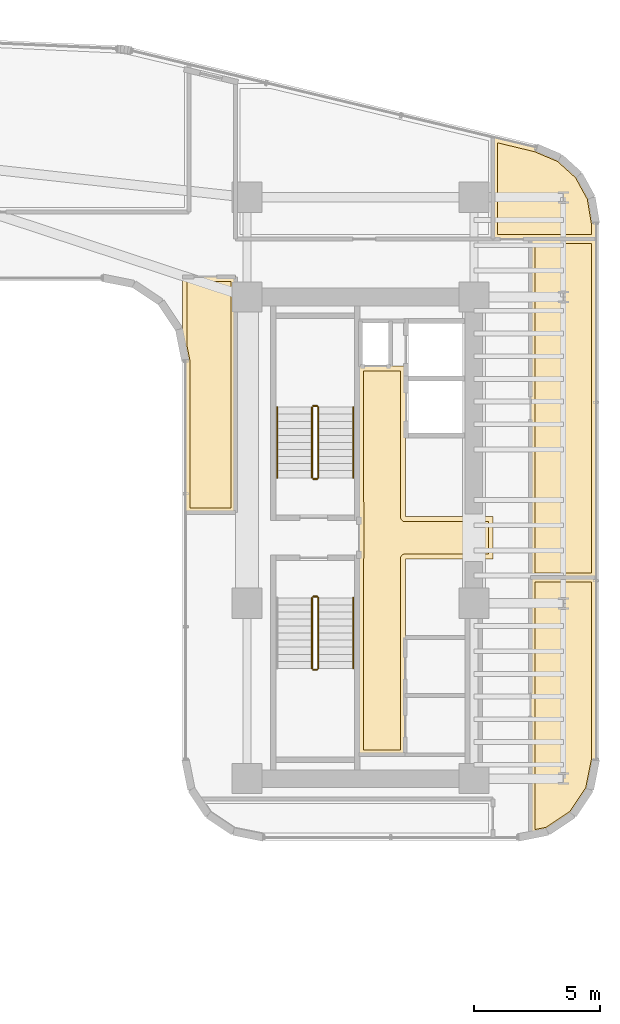
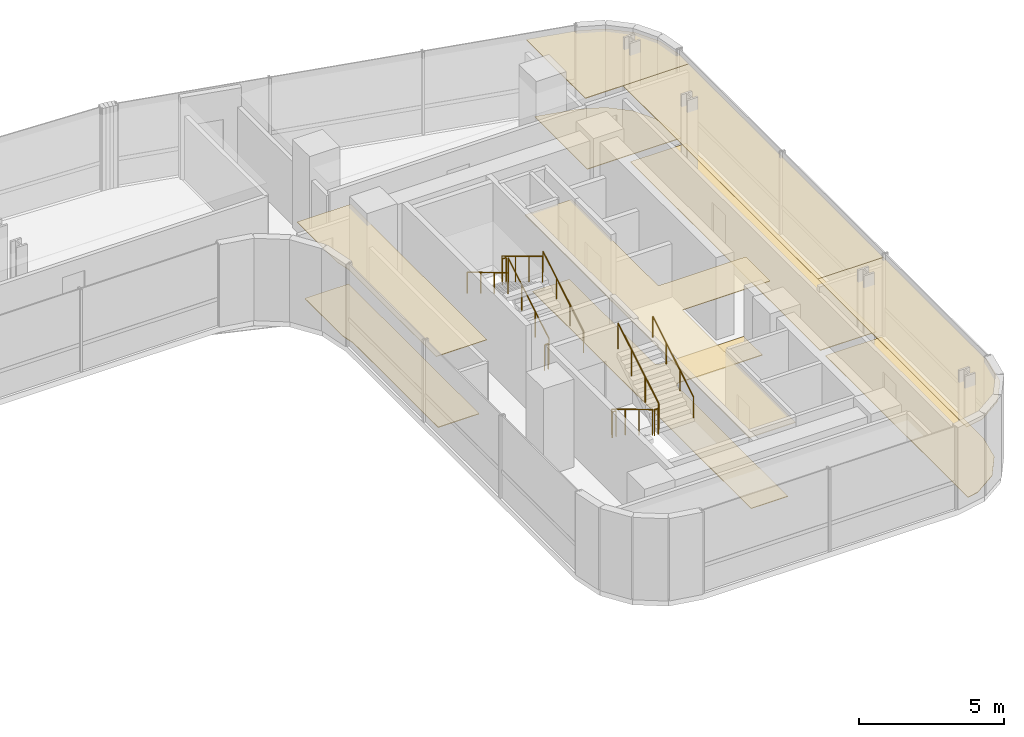
# One storey, part 33 of 34: 11 railings, 10 coverings.
"""IFC4 building model written with IfcOpenShell, lengths in metres."""

from ifc_helpers import new_model, si_unit, direction, frame, origin, origin_2d, place, context, subcontext, project, spatial, polyline, circle, outline, extrude, material, layer, layer_set, type_object, element, save


model = new_model("IFC4")

# Units and contexts
model_context = context("Model", 3, precision=1e-05, world=origin(), true_north=direction((0.0, 1.0)))
body_context = subcontext(model_context, "Body", "Model", "MODEL_VIEW")
ifc_project = project(units=[si_unit("LENGTHUNIT", "METRE"), si_unit("AREAUNIT", "SQUARE_METRE"), si_unit("VOLUMEUNIT", "CUBIC_METRE"), si_unit("PLANEANGLEUNIT", "RADIAN"), si_unit("MASSUNIT", "GRAM", prefix="KILO")], contexts=[model_context])

# Site, building, storey
site_placement = place(None, origin())
site = spatial("IfcSite", under=ifc_project, at=site_placement, CompositionType="ELEMENT")
building_placement = place(site_placement, origin())
building = spatial("IfcBuilding", under=site, at=building_placement, Name="Valdorenza Pilgrim Sanctuary Tower", CompositionType="ELEMENT")
storey_placement = place(building_placement, frame((0.0, 0.0, 146.39990234375)))
storey = spatial("IfcBuildingStorey", under=building, at=storey_placement, Name="L37", CompositionType="ELEMENT", Elevation=146.39990234375)

# Coverings
ifc_material_1 = material(Name="Micro-perforated acoustic mineral ceiling tile", Category="gypsum")
ifc_layer_1 = layer(ifc_material_1, 0.02490234375, Name="Micro-perforated acoustic mineral ceiling tile")
ifc_layer_set_1 = layer_set([ifc_layer_1], Name="Micro-perforated acoustic mineral ceiling tile")
covering_type_1 = type_object("IfcCoveringType", Name="COV-CLG-ACU", PredefinedType="CEILING", material=ifc_layer_set_1)
covering_1_placement = place(storey_placement, frame((0.0, 0.0, 3.16015625)))
element("IfcCovering", 1, at=covering_1_placement, inside=storey, type_object=covering_type_1, Name="L37 Core B Passenger Lift Lobby Acoustic Ceiling", PredefinedType="CEILING", context=body_context, shape_type="SweptSolid", body=[
    extrude(outline(polyline([(20.287109375, -0.814697265625), (20.287109375, 0.814697265625), (20.28662109375, 0.815185546875), (20.2861328125, 0.81640625), (20.28564453125, 0.81787109375), (20.285400390625, 0.819091796875), (20.28515625, 0.820556640625), (20.284912109375, 0.822021484375), (20.284912109375, 6.800048828125), (20.28515625, 6.801513671875), (20.285400390625, 6.802978515625), (20.28564453125, 6.804443359375), (20.2861328125, 6.8056640625), (20.286865234375, 6.80712890625), (20.28759765625, 6.808349609375), (20.288330078125, 6.8095703125), (20.289306640625, 6.810546875), (20.29052734375, 6.8115234375), (20.291748046875, 6.8125), (20.29296875, 6.813232421875), (20.294189453125, 6.81396484375), (20.295654296875, 6.814453125), (20.297119140625, 6.814697265625), (20.298583984375, 6.81494140625), (20.300048828125, 6.81494140625), (20.347900390625, 6.81494140625), (20.349365234375, 6.81494140625), (20.350830078125, 6.814697265625), (20.352294921875, 6.814453125), (20.353515625, 6.81396484375), (20.35498046875, 6.813232421875), (20.35546875, 6.81298828125), (21.544677734375, 6.81298828125), (21.545166015625, 6.813232421875), (21.54638671875, 6.81396484375), (21.5478515625, 6.814453125), (21.54931640625, 6.814697265625), (21.550537109375, 6.81494140625), (21.552001953125, 6.81494140625), (22.1201171875, 6.81494140625), (22.12158203125, 6.81494140625), (22.122802734375, 6.814697265625), (22.12451171875, 6.814453125), (22.125732421875, 6.81396484375), (22.127197265625, 6.813232421875), (22.12841796875, 6.8125), (22.12939453125, 6.8115234375), (22.130615234375, 6.810546875), (22.131591796875, 6.8095703125), (22.132568359375, 6.808349609375), (22.13330078125, 6.80712890625), (22.1337890625, 6.8056640625), (22.134521484375, 6.804443359375), (22.134765625, 6.802978515625), (22.135009765625, 6.801513671875), (22.135009765625, 6.800048828125), (22.135009765625, 0.8349609375), (25.60009765625, 0.8349609375), (25.6015625, 0.8349609375), (25.602783203125, 0.834716796875), (25.6044921875, 0.83447265625), (25.605712890625, 0.833984375), (25.607177734375, 0.833251953125), (25.6083984375, 0.83251953125), (25.609619140625, 0.83154296875), (25.610595703125, 0.83056640625), (25.611572265625, 0.82958984375), (25.612548828125, 0.828369140625), (25.61328125, 0.8271484375), (25.614013671875, 0.82568359375), (25.614501953125, 0.824462890625), (25.61474609375, 0.822998046875), (25.614990234375, 0.821533203125), (25.614990234375, 0.820068359375), (25.614990234375, -0.820068359375), (25.614990234375, -0.821533203125), (25.61474609375, -0.822998046875), (25.614501953125, -0.824462890625), (25.614013671875, -0.82568359375), (25.61328125, -0.8271484375), (25.612548828125, -0.828369140625), (25.611572265625, -0.82958984375), (25.610595703125, -0.83056640625), (25.609619140625, -0.83154296875), (25.6083984375, -0.83251953125), (25.607177734375, -0.833251953125), (25.605712890625, -0.833984375), (25.6044921875, -0.83447265625), (25.602783203125, -0.834716796875), (25.6015625, -0.8349609375), (25.60009765625, -0.8349609375), (22.135009765625, -0.8349609375), (22.135009765625, -8.60009765625), (22.135009765625, -8.6015625), (22.134765625, -8.602783203125), (22.134521484375, -8.6044921875), (22.1337890625, -8.605712890625), (22.13330078125, -8.607177734375), (22.132568359375, -8.6083984375), (22.131591796875, -8.609619140625), (22.130615234375, -8.610595703125), (22.12939453125, -8.611572265625), (22.12841796875, -8.612548828125), (22.127197265625, -8.61328125), (22.125732421875, -8.614013671875), (22.12451171875, -8.614501953125), (22.122802734375, -8.61474609375), (22.12158203125, -8.614990234375), (22.1201171875, -8.614990234375), (20.300048828125, -8.614990234375), (20.298583984375, -8.614990234375), (20.297119140625, -8.61474609375), (20.295654296875, -8.614501953125), (20.294189453125, -8.614013671875), (20.29296875, -8.61328125), (20.291748046875, -8.612548828125), (20.29052734375, -8.611572265625), (20.289306640625, -8.610595703125), (20.288330078125, -8.609619140625), (20.28759765625, -8.6083984375), (20.286865234375, -8.607177734375), (20.2861328125, -8.605712890625), (20.28564453125, -8.6044921875), (20.285400390625, -8.602783203125), (20.28515625, -8.6015625), (20.284912109375, -8.60009765625), (20.284912109375, -0.822021484375), (20.28515625, -0.820556640625), (20.285400390625, -0.819091796875), (20.28564453125, -0.81787109375), (20.2861328125, -0.81640625), (20.28662109375, -0.815185546875), (20.287109375, -0.814697265625)])), origin(), (0.0, 0.0, 1.0), 0.02490234375),
])
covering_2_placement = place(storey_placement, frame((0.0, 0.0, 3.16015625)))
element("IfcCovering", 2, at=covering_2_placement, inside=storey, type_object=covering_type_1, Name="L37 East Wing Reference Library L37-BNE Acoustic Ceiling", PredefinedType="CEILING", context=body_context, shape_type="SweptSolid", body=[
    extrude(outline(polyline([(27.313720703125, 15.49755859375), (27.31494140625, 15.4970703125), (27.316162109375, 15.49658203125), (28.269775390625, 15.09130859375), (28.271240234375, 15.090576171875), (28.272705078125, 15.089599609375), (28.27392578125, 15.088623046875), (29.034912109375, 14.3994140625), (29.035888671875, 14.398193359375), (29.037109375, 14.39697265625), (29.037841796875, 14.3955078125), (29.531005859375, 13.4951171875), (29.53173828125, 13.49365234375), (29.5322265625, 13.4921875), (29.53271484375, 13.490478515625), (29.704833984375, 12.468994140625), (29.704833984375, 12.467529296875), (29.705078125, 12.46630859375), (29.705078125, 11.85009765625), (29.704833984375, 11.848388671875), (29.70458984375, 11.84716796875), (29.704345703125, 11.845703125), (29.703857421875, 11.84423828125), (29.703125, 11.843017578125), (29.702392578125, 11.841796875), (29.70166015625, 11.840576171875), (29.70068359375, 11.83935546875), (29.699462890625, 11.83837890625), (29.6982421875, 11.83740234375), (29.697021484375, 11.8369140625), (29.69580078125, 11.836181640625), (29.6943359375, 11.835693359375), (29.69287109375, 11.835205078125), (29.69140625, 11.835205078125), (29.68994140625, 11.8349609375), (25.60205078125, 11.8349609375), (25.6005859375, 11.835205078125), (25.59912109375, 11.835205078125), (25.59765625, 11.835693359375), (25.59619140625, 11.836181640625), (25.594970703125, 11.8369140625), (25.59375, 11.83740234375), (25.592529296875, 11.83837890625), (25.59130859375, 11.83935546875), (25.59033203125, 11.840576171875), (25.589599609375, 11.841796875), (25.5888671875, 11.843017578125), (25.588134765625, 11.84423828125), (25.587646484375, 11.845703125), (25.58740234375, 11.84716796875), (25.587158203125, 11.848388671875), (25.5869140625, 11.85009765625), (25.5869140625, 15.891845703125), (25.587158203125, 15.893310546875), (25.58740234375, 15.894775390625), (25.587646484375, 15.896240234375), (25.588134765625, 15.897705078125), (25.5888671875, 15.89892578125), (25.589599609375, 15.900390625), (25.590576171875, 15.901611328125), (25.591552734375, 15.902587890625), (25.5927734375, 15.903564453125), (25.593994140625, 15.904296875), (25.59521484375, 15.9052734375), (25.5966796875, 15.90576171875), (25.597900390625, 15.90625), (25.599609375, 15.906494140625), (25.60107421875, 15.90673828125), (25.6025390625, 15.90673828125), (25.60400390625, 15.906494140625), (25.60546875, 15.906494140625), (27.313720703125, 15.49755859375)])), origin(), (0.0, 0.0, 1.0), 0.02490234375),
])
covering_3_placement = place(storey_placement, frame((0.0, 0.0, 3.16015625)))
element("IfcCovering", 3, at=covering_3_placement, inside=storey, type_object=covering_type_1, Name="L37 Private Banquet Dining Room L37-EB1 Acoustic Ceiling", PredefinedType="CEILING", context=body_context, shape_type="SweptSolid", body=[
    extrude(outline(polyline([(29.68994140625, -1.56005859375), (29.69140625, -1.56005859375), (29.69287109375, -1.560302734375), (29.6943359375, -1.560546875), (29.69580078125, -1.56103515625), (29.697021484375, -1.561767578125), (29.6982421875, -1.5625), (29.699462890625, -1.5634765625), (29.70068359375, -1.564453125), (29.70166015625, -1.5654296875), (29.702392578125, -1.566650390625), (29.703125, -1.56787109375), (29.703857421875, -1.5693359375), (29.704345703125, -1.570556640625), (29.70458984375, -1.572021484375), (29.704833984375, -1.573486328125), (29.705078125, -1.574951171875), (29.705078125, -8.789306640625), (29.704833984375, -8.79052734375), (29.70458984375, -8.7919921875), (29.467529296875, -9.984619140625), (29.467041015625, -9.986083984375), (29.466552734375, -9.9873046875), (29.466064453125, -9.98876953125), (29.46533203125, -9.989990234375), (28.7958984375, -10.99169921875), (28.794921875, -10.992919921875), (28.7939453125, -10.993896484375), (28.79296875, -10.9951171875), (28.791748046875, -10.995849609375), (27.7900390625, -11.665283203125), (27.788818359375, -11.666015625), (27.787353515625, -11.66650390625), (27.785888671875, -11.6669921875), (27.78466796875, -11.66748046875), (27.102783203125, -11.802978515625), (27.1015625, -11.80322265625), (27.10009765625, -11.803466796875), (27.098388671875, -11.80322265625), (27.09716796875, -11.802978515625), (27.095703125, -11.802734375), (27.09423828125, -11.80224609375), (27.093017578125, -11.801513671875), (27.091796875, -11.80078125), (27.090576171875, -11.800048828125), (27.08935546875, -11.799072265625), (27.08837890625, -11.7978515625), (27.08740234375, -11.796630859375), (27.0869140625, -11.79541015625), (27.086181640625, -11.794189453125), (27.085693359375, -11.792724609375), (27.085205078125, -11.791259765625), (27.085205078125, -11.789794921875), (27.0849609375, -11.788330078125), (27.0849609375, -1.574951171875), (27.085205078125, -1.573486328125), (27.085205078125, -1.572021484375), (27.085693359375, -1.570556640625), (27.086181640625, -1.5693359375), (27.0869140625, -1.56787109375), (27.08740234375, -1.566650390625), (27.08837890625, -1.5654296875), (27.08935546875, -1.564453125), (27.090576171875, -1.5634765625), (27.091796875, -1.5625), (27.093017578125, -1.561767578125), (27.09423828125, -1.56103515625), (27.095703125, -1.560546875), (27.09716796875, -1.560302734375), (27.098388671875, -1.56005859375), (27.10009765625, -1.56005859375), (29.68994140625, -1.56005859375)])), origin(), (0.0, 0.0, 1.0), 0.02490234375),
])
covering_4_placement = place(storey_placement, frame((0.0, 0.0, 3.16015625)))
element("IfcCovering", 4, at=covering_4_placement, inside=storey, type_object=covering_type_1, Name="L37 Private Banquet Dining Room L37-EB2 Acoustic Ceiling", PredefinedType="CEILING", context=body_context, shape_type="SweptSolid", body=[
    extrude(outline(polyline([(27.0849609375, 11.847900390625), (27.085205078125, 11.849609375), (27.085205078125, 11.850830078125), (27.085693359375, 11.852294921875), (27.086181640625, 11.853759765625), (27.0869140625, 11.85498046875), (27.08740234375, 11.856201171875), (27.08837890625, 11.857421875), (27.08935546875, 11.858642578125), (27.090576171875, 11.859619140625), (27.091796875, 11.860595703125), (27.093017578125, 11.861083984375), (27.09423828125, 11.86181640625), (27.095703125, 11.8623046875), (27.09716796875, 11.86279296875), (27.098388671875, 11.86279296875), (27.10009765625, 11.863037109375), (29.68994140625, 11.863037109375), (29.69140625, 11.86279296875), (29.69287109375, 11.86279296875), (29.6943359375, 11.8623046875), (29.69580078125, 11.86181640625), (29.697021484375, 11.861083984375), (29.6982421875, 11.860595703125), (29.699462890625, 11.859619140625), (29.70068359375, 11.858642578125), (29.70166015625, 11.857421875), (29.702392578125, 11.856201171875), (29.703125, 11.85498046875), (29.703857421875, 11.853759765625), (29.704345703125, 11.852294921875), (29.70458984375, 11.850830078125), (29.704833984375, 11.849609375), (29.705078125, 11.847900390625), (29.705078125, -1.572998046875), (29.704833984375, -1.574462890625), (29.70458984375, -1.575927734375), (29.704345703125, -1.577392578125), (29.703857421875, -1.57861328125), (29.703125, -1.580078125), (29.702392578125, -1.581298828125), (29.70166015625, -1.58251953125), (29.70068359375, -1.58349609375), (29.699462890625, -1.584716796875), (29.6982421875, -1.58544921875), (29.697021484375, -1.586181640625), (29.69580078125, -1.5869140625), (29.6943359375, -1.58740234375), (29.69287109375, -1.587646484375), (29.69140625, -1.587890625), (29.68994140625, -1.587890625), (27.10009765625, -1.587890625), (27.098388671875, -1.587890625), (27.09716796875, -1.587646484375), (27.095703125, -1.58740234375), (27.09423828125, -1.5869140625), (27.093017578125, -1.586181640625), (27.091796875, -1.58544921875), (27.090576171875, -1.584716796875), (27.08935546875, -1.58349609375), (27.08837890625, -1.58251953125), (27.08740234375, -1.581298828125), (27.0869140625, -1.580078125), (27.086181640625, -1.57861328125), (27.085693359375, -1.577392578125), (27.085205078125, -1.575927734375), (27.085205078125, -1.574462890625), (27.0849609375, -1.572998046875), (27.0849609375, 11.847900390625)])), origin(), (0.0, 0.0, 1.0), 0.02490234375),
])
covering_5_placement = place(storey_placement, frame((0.0, 0.0, 3.16015625)))
element("IfcCovering", 5, at=covering_5_placement, inside=storey, type_object=covering_type_1, Name="L37 Courtyard Overlook Salon L37 Acoustic Ceiling", PredefinedType="CEILING", context=body_context, shape_type="SweptSolid", body=[
    extrude(outline(polyline([(15.39990234375, 10.364990234375), (15.401611328125, 10.364990234375), (15.40283203125, 10.36474609375), (15.404296875, 10.364501953125), (15.40576171875, 10.364013671875), (15.406982421875, 10.36328125), (15.408203125, 10.362548828125), (15.409423828125, 10.361572265625), (15.41064453125, 10.360595703125), (15.41162109375, 10.359619140625), (15.41259765625, 10.3583984375), (15.4130859375, 10.357177734375), (15.413818359375, 10.355712890625), (15.414306640625, 10.3544921875), (15.414794921875, 10.352783203125), (15.414794921875, 10.3515625), (15.4150390625, 10.35009765625), (15.4150390625, 1.0), (15.414794921875, 0.99853515625), (15.414794921875, 0.9970703125), (15.414306640625, 0.99560546875), (15.413818359375, 0.994384765625), (15.4130859375, 0.992919921875), (15.41259765625, 0.99169921875), (15.41162109375, 0.990478515625), (15.41064453125, 0.989501953125), (15.409423828125, 0.98828125), (15.408203125, 0.987548828125), (15.406982421875, 0.98681640625), (15.40576171875, 0.986083984375), (15.404296875, 0.985595703125), (15.40283203125, 0.9853515625), (15.401611328125, 0.985107421875), (15.39990234375, 0.985107421875), (13.409912109375, 0.985107421875), (13.408447265625, 0.985107421875), (13.406982421875, 0.9853515625), (13.405517578125, 0.985595703125), (13.404296875, 0.986083984375), (13.40283203125, 0.98681640625), (13.401611328125, 0.987548828125), (13.400390625, 0.98828125), (13.3994140625, 0.989501953125), (13.3984375, 0.990478515625), (13.3974609375, 0.99169921875), (13.396728515625, 0.992919921875), (13.39599609375, 0.994384765625), (13.3955078125, 0.99560546875), (13.395263671875, 0.9970703125), (13.39501953125, 0.99853515625), (13.39501953125, 1.0), (13.39501953125, 6.99951171875), (13.39453125, 7.00927734375), (13.39306640625, 7.018798828125), (13.285400390625, 7.560791015625), (13.28515625, 7.562255859375), (13.284912109375, 7.563720703125), (13.284912109375, 10.35009765625), (13.28515625, 10.3515625), (13.285400390625, 10.352783203125), (13.28564453125, 10.3544921875), (13.2861328125, 10.355712890625), (13.286865234375, 10.357177734375), (13.28759765625, 10.3583984375), (13.288330078125, 10.359619140625), (13.289306640625, 10.360595703125), (13.29052734375, 10.361572265625), (13.291748046875, 10.362548828125), (13.29296875, 10.36328125), (13.294189453125, 10.364013671875), (13.295654296875, 10.364501953125), (13.297119140625, 10.36474609375), (13.298583984375, 10.364990234375), (13.300048828125, 10.364990234375), (15.39990234375, 10.364990234375)])), origin(), (0.0, 0.0, 1.0), 0.02490234375),
])
ifc_material_2 = material(Name="Engineered European oak timber flooring", Category="wood")
ifc_layer_2 = layer(ifc_material_2, 0.02197265625, Name="Engineered European oak timber flooring")
ifc_layer_set_2 = layer_set([ifc_layer_2], Name="Engineered European oak timber flooring")
covering_type_2 = type_object("IfcCoveringType", Name="COV-FLR-OAK", PredefinedType="FLOORING", material=ifc_layer_set_2)
covering_6_placement = place(storey_placement, origin())
element("IfcCovering", 6, at=covering_6_placement, inside=storey, type_object=covering_type_2, Name="L37 Private Banquet Dining Room L37-EB1 Flooring", PredefinedType="FLOORING", context=body_context, shape_type="SweptSolid", body=[
    extrude(outline(polyline([(29.510009765625, -1.7548828125), (29.510009765625, -8.771484375), (29.283203125, -9.911376953125), (28.653564453125, -10.853515625), (27.71142578125, -11.483154296875), (27.280029296875, -11.569091796875), (27.280029296875, -1.7548828125), (29.510009765625, -1.7548828125)])), origin(), (0.0, 0.0, 1.0), 0.025146484375),
])
covering_7_placement = place(storey_placement, origin())
element("IfcCovering", 7, at=covering_7_placement, inside=storey, type_object=covering_type_2, Name="L37 Private Banquet Dining Room L37-EB2 Flooring", PredefinedType="FLOORING", context=body_context, shape_type="SweptSolid", body=[
    extrude(outline(polyline([(27.280029296875, 11.66796875), (29.510009765625, 11.66796875), (29.510009765625, -1.39306640625), (27.280029296875, -1.39306640625), (27.280029296875, 11.66796875)])), origin(), (0.0, 0.0, 1.0), 0.025146484375),
])
ifc_material_3 = material(Name="Honed travertine stone flooring", Category="masonry")
ifc_layer_3 = layer(ifc_material_3, 0.030029296875, Name="Honed travertine stone flooring")
ifc_layer_set_3 = layer_set([ifc_layer_3], Name="Honed travertine stone flooring")
covering_type_3 = type_object("IfcCoveringType", Name="COV-FLR-TRV", PredefinedType="FLOORING", material=ifc_layer_set_3)
covering_8_placement = place(storey_placement, origin())
element("IfcCovering", 8, at=covering_8_placement, inside=storey, type_object=covering_type_3, Name="L37 Core B Passenger Lift Lobby Flooring", PredefinedType="FLOORING", context=body_context, shape_type="SweptSolid", body=[
    extrude(outline(polyline([(20.47998046875, 6.617919921875), (21.550048828125, 6.617919921875), (21.550537109375, 6.617919921875), (21.93994140625, 6.619384765625), (21.93994140625, 0.820068359375), (21.94091796875, 0.802490234375), (21.943603515625, 0.784912109375), (21.94775390625, 0.767578125), (21.95361328125, 0.751220703125), (21.961181640625, 0.735107421875), (21.97021484375, 0.719970703125), (21.98095703125, 0.705810546875), (21.99267578125, 0.692626953125), (22.005859375, 0.680908203125), (22.02001953125, 0.67041015625), (22.03515625, 0.661376953125), (22.051025390625, 0.65380859375), (22.067626953125, 0.647705078125), (22.0849609375, 0.6435546875), (22.102294921875, 0.640869140625), (22.1201171875, 0.639892578125), (25.419921875, 0.639892578125), (25.419921875, -0.639892578125), (22.1201171875, -0.639892578125), (22.102294921875, -0.640869140625), (22.0849609375, -0.6435546875), (22.067626953125, -0.647705078125), (22.051025390625, -0.65380859375), (22.03515625, -0.661376953125), (22.02001953125, -0.67041015625), (22.005859375, -0.680908203125), (21.99267578125, -0.692626953125), (21.98095703125, -0.705810546875), (21.97021484375, -0.719970703125), (21.961181640625, -0.735107421875), (21.95361328125, -0.751220703125), (21.94775390625, -0.767578125), (21.943603515625, -0.784912109375), (21.94091796875, -0.802490234375), (21.93994140625, -0.820068359375), (21.93994140625, -8.419921875), (20.47998046875, -8.419921875), (20.47998046875, -0.846923828125), (20.47998046875, -0.8466796875), (20.47998046875, -0.8466796875), (20.481689453125, -0.8291015625), (20.481689453125, -0.828857421875), (20.48193359375, -0.820068359375), (20.48193359375, 0.820068359375), (20.47998046875, 6.617919921875)])), origin(), (0.0, 0.0, 1.0), 0.025146484375),
])
covering_9_placement = place(storey_placement, origin())
element("IfcCovering", 9, at=covering_9_placement, inside=storey, type_object=covering_type_3, Name="L37 East Wing Reference Library L37-BNE Flooring", PredefinedType="FLOORING", context=body_context, shape_type="SweptSolid", body=[
    extrude(outline(polyline([(27.25390625, 15.311279296875), (28.16552734375, 14.923583984375), (28.88134765625, 14.275390625), (29.345458984375, 13.427978515625), (29.510009765625, 12.451416015625), (29.510009765625, 12.030029296875), (25.781982421875, 12.030029296875), (25.781982421875, 15.66357421875), (27.25390625, 15.311279296875)])), origin(), (0.0, 0.0, 1.0), 0.025146484375),
])
covering_10_placement = place(storey_placement, origin())
element("IfcCovering", 10, at=covering_10_placement, inside=storey, type_object=covering_type_3, Name="L37 Courtyard Overlook Salon L37 Flooring", PredefinedType="FLOORING", context=body_context, shape_type="SweptSolid", body=[
    extrude(outline(polyline([(15.219970703125, 10.169921875), (15.219970703125, 1.179931640625), (13.590087890625, 1.179931640625), (13.590087890625, 7.0), (13.58984375, 7.0087890625), (13.58935546875, 7.01953125), (13.58740234375, 7.037109375), (13.5859375, 7.0478515625), (13.58447265625, 7.056640625), (13.47998046875, 7.58154296875), (13.47998046875, 10.169921875), (15.219970703125, 10.169921875)])), origin(), (0.0, 0.0, 1.0), 0.025146484375),
])

# Railings
ifc_material_4 = material(Name="Stainless steel Grade 316", Category="steel")
railing_type_1 = type_object("IfcRailingType", Name="RLG-GRD-1120", PredefinedType="GUARDRAIL", material=ifc_material_4)
railing_1_placement = place(storey_placement, frame((18.679931640625, 2.3798828125, 0.168212890625)))
element("IfcRailing", 11, at=railing_1_placement, inside=storey, type_object=railing_type_1, Name="L37 ST-B1 stair guard 1", PredefinedType="GUARDRAIL", context=body_context, shape_type="SweptSolid", body=[
    extrude(circle(Radius=0.02392578125, at=origin_2d()), frame((0.0, 0.0, 1.076171875), z_axis=(0.0, 0.857242210791, 0.514913383045), x_axis=(-1.0, 0.0, 0.0)), (0.0, 0.0, 1.0), 3.266357421875),
    extrude(circle(Radius=0.02099609375, at=origin_2d()), origin(), (0.0, 0.0, 1.0), 1.052001953125),
    extrude(circle(Radius=0.02099609375, at=origin_2d()), frame((0.0, 0.933349609375, 0.560546875)), (0.0, 0.0, 1.0), 1.052001953125),
    extrude(circle(Radius=0.02099609375, at=origin_2d()), frame((0.0, 1.86669921875, 1.121337890625)), (0.0, 0.0, 1.0), 1.052001953125),
    extrude(circle(Radius=0.02099609375, at=origin_2d()), frame((0.0, 2.800048828125, 1.681884765625)), (0.0, 0.0, 1.0), 1.052001953125),
])
railing_2_placement = place(storey_placement, frame((18.6298828125, 5.22998046875, 1.85009765625)))
element("IfcRailing", 12, at=railing_2_placement, inside=storey, type_object=railing_type_1, Name="L37 ST-B1 stair guard 2", PredefinedType="GUARDRAIL", context=body_context, shape_type="SweptSolid", body=[
    extrude(circle(Radius=0.02392578125, at=origin_2d()), frame((0.0, 0.0, 1.076171875), z_axis=(-1.0, 0.0, 0.0), x_axis=(0.0, -1.0, 0.0)), (0.0, 0.0, 1.0), 0.14990234375),
    extrude(circle(Radius=0.02099609375, at=origin_2d()), origin(), (0.0, 0.0, 1.0), 1.052001953125),
    extrude(circle(Radius=0.02099609375, at=origin_2d()), frame((-0.14990234375, 0.0, 0.0)), (0.0, 0.0, 1.0), 1.052001953125),
])
railing_3_placement = place(storey_placement, frame((18.429931640625, 5.179931640625, 2.018310546875)))
element("IfcRailing", 13, at=railing_3_placement, inside=storey, type_object=railing_type_1, Name="L37 ST-B1 stair guard 3", PredefinedType="GUARDRAIL", context=body_context, shape_type="SweptSolid", body=[
    extrude(circle(Radius=0.02392578125, at=origin_2d()), frame((0.0, 0.0, 1.076171875), z_axis=(0.0, -0.857242210791, 0.514913383045), x_axis=(1.0, 0.0, 0.0)), (0.0, 0.0, 1.0), 3.266357421875),
    extrude(circle(Radius=0.02099609375, at=origin_2d()), origin(), (0.0, 0.0, 1.0), 1.052001953125),
    extrude(circle(Radius=0.02099609375, at=origin_2d()), frame((0.0, -0.933349609375, 0.560546875)), (0.0, 0.0, 1.0), 1.052001953125),
    extrude(circle(Radius=0.02099609375, at=origin_2d()), frame((0.0, -1.86669921875, 1.121337890625)), (0.0, 0.0, 1.0), 1.052001953125),
    extrude(circle(Radius=0.02099609375, at=origin_2d()), frame((0.0, -2.800048828125, 1.681884765625)), (0.0, 0.0, 1.0), 1.052001953125),
])
railing_4_placement = place(storey_placement, frame((18.6298828125, 2.330078125, 0.0)))
element("IfcRailing", 14, at=railing_4_placement, inside=storey, type_object=railing_type_1, Name="L37 ST-B1 stair guard 4", PredefinedType="GUARDRAIL", context=body_context, shape_type="SweptSolid", body=[
    extrude(circle(Radius=0.02392578125, at=origin_2d()), frame((0.0, 0.0, 1.076171875), z_axis=(-1.0, 0.0, 0.0), x_axis=(0.0, -1.0, 0.0)), (0.0, 0.0, 1.0), 0.14990234375),
    extrude(circle(Radius=0.02099609375, at=origin_2d()), origin(), (0.0, 0.0, 1.0), 1.052001953125),
    extrude(circle(Radius=0.02099609375, at=origin_2d()), frame((-0.14990234375, 0.0, 0.0)), (0.0, 0.0, 1.0), 1.052001953125),
])
railing_5_placement = place(storey_placement, frame((18.429931640625, -2.3798828125, 0.168212890625)))
element("IfcRailing", 15, at=railing_5_placement, inside=storey, type_object=railing_type_1, Name="L37 ST-B2 stair guard 1", PredefinedType="GUARDRAIL", context=body_context, shape_type="SweptSolid", body=[
    extrude(circle(Radius=0.02392578125, at=origin_2d()), frame((0.0, 0.0, 1.076171875), z_axis=(0.0, -0.857242210791, 0.514913383045), x_axis=(1.0, 0.0, 0.0)), (0.0, 0.0, 1.0), 3.266357421875),
    extrude(circle(Radius=0.02099609375, at=origin_2d()), origin(), (0.0, 0.0, 1.0), 1.052001953125),
    extrude(circle(Radius=0.02099609375, at=origin_2d()), frame((0.0, -0.933349609375, 0.560546875)), (0.0, 0.0, 1.0), 1.052001953125),
    extrude(circle(Radius=0.02099609375, at=origin_2d()), frame((0.0, -1.86669921875, 1.121337890625)), (0.0, 0.0, 1.0), 1.052001953125),
    extrude(circle(Radius=0.02099609375, at=origin_2d()), frame((0.0, -2.800048828125, 1.681884765625)), (0.0, 0.0, 1.0), 1.052001953125),
])
railing_6_placement = place(storey_placement, frame((18.47998046875, -5.22998046875, 1.85009765625)))
element("IfcRailing", 16, at=railing_6_placement, inside=storey, type_object=railing_type_1, Name="L37 ST-B2 stair guard 2", PredefinedType="GUARDRAIL", context=body_context, shape_type="SweptSolid", body=[
    extrude(circle(Radius=0.02392578125, at=origin_2d()), frame((0.0, 0.0, 1.076171875), z_axis=(1.0, 0.0, 0.0), x_axis=(0.0, 1.0, 0.0)), (0.0, 0.0, 1.0), 0.14990234375),
    extrude(circle(Radius=0.02099609375, at=origin_2d()), origin(), (0.0, 0.0, 1.0), 1.052001953125),
    extrude(circle(Radius=0.02099609375, at=origin_2d()), frame((0.14990234375, 0.0, 0.0)), (0.0, 0.0, 1.0), 1.052001953125),
])
railing_7_placement = place(storey_placement, frame((18.679931640625, -5.179931640625, 2.018310546875)))
element("IfcRailing", 17, at=railing_7_placement, inside=storey, type_object=railing_type_1, Name="L37 ST-B2 stair guard 3", PredefinedType="GUARDRAIL", context=body_context, shape_type="SweptSolid", body=[
    extrude(circle(Radius=0.02392578125, at=origin_2d()), frame((0.0, 0.0, 1.076171875), z_axis=(0.0, 0.857242210791, 0.514913383045), x_axis=(-1.0, 0.0, 0.0)), (0.0, 0.0, 1.0), 3.266357421875),
    extrude(circle(Radius=0.02099609375, at=origin_2d()), origin(), (0.0, 0.0, 1.0), 1.052001953125),
    extrude(circle(Radius=0.02099609375, at=origin_2d()), frame((0.0, 0.933349609375, 0.560546875)), (0.0, 0.0, 1.0), 1.052001953125),
    extrude(circle(Radius=0.02099609375, at=origin_2d()), frame((0.0, 1.86669921875, 1.121337890625)), (0.0, 0.0, 1.0), 1.052001953125),
    extrude(circle(Radius=0.02099609375, at=origin_2d()), frame((0.0, 2.800048828125, 1.681884765625)), (0.0, 0.0, 1.0), 1.052001953125),
])
railing_8_placement = place(storey_placement, frame((18.47998046875, -2.330078125, 0.0)))
element("IfcRailing", 18, at=railing_8_placement, inside=storey, type_object=railing_type_1, Name="L37 ST-B2 stair guard 4", PredefinedType="GUARDRAIL", context=body_context, shape_type="SweptSolid", body=[
    extrude(circle(Radius=0.02392578125, at=origin_2d()), frame((0.0, 0.0, 1.076171875), z_axis=(1.0, 0.0, 0.0), x_axis=(0.0, 1.0, 0.0)), (0.0, 0.0, 1.0), 0.14990234375),
    extrude(circle(Radius=0.02099609375, at=origin_2d()), origin(), (0.0, 0.0, 1.0), 1.052001953125),
    extrude(circle(Radius=0.02099609375, at=origin_2d()), frame((0.14990234375, 0.0, 0.0)), (0.0, 0.0, 1.0), 1.052001953125),
])
ifc_material_5 = material(Name="Brushed stainless steel Grade 316", Category="steel")
railing_type_2 = type_object("IfcRailingType", Name="RLG-HND-920", PredefinedType="HANDRAIL", material=ifc_material_5)
railing_9_placement = place(storey_placement, frame((20.06005859375, 2.3798828125, 0.168212890625)))
element("IfcRailing", 19, at=railing_9_placement, inside=storey, type_object=railing_type_2, Name="L37 ST-B1 stair handrail 1", PredefinedType="HANDRAIL", context=body_context, shape_type="SweptSolid", body=[
    extrude(circle(Radius=0.02392578125, at=origin_2d()), frame((0.0, 0.0, 0.8759765625), z_axis=(0.0, 0.857242210791, 0.514913383045), x_axis=(-1.0, 0.0, 0.0)), (0.0, 0.0, 1.0), 3.266357421875),
    extrude(circle(Radius=0.02099609375, at=origin_2d()), origin(), (0.0, 0.0, 1.0), 0.851806640625),
    extrude(circle(Radius=0.02099609375, at=origin_2d()), frame((0.0, 0.933349609375, 0.560546875)), (0.0, 0.0, 1.0), 0.851806640625),
    extrude(circle(Radius=0.02099609375, at=origin_2d()), frame((0.0, 1.86669921875, 1.121337890625)), (0.0, 0.0, 1.0), 0.851806640625),
    extrude(circle(Radius=0.02099609375, at=origin_2d()), frame((0.0, 2.800048828125, 1.681884765625)), (0.0, 0.0, 1.0), 0.851806640625),
])
railing_10_placement = place(storey_placement, frame((17.050048828125, 5.179931640625, 2.018310546875)))
element("IfcRailing", 20, at=railing_10_placement, inside=storey, type_object=railing_type_2, Name="L37 ST-B1 stair handrail 2", PredefinedType="HANDRAIL", context=body_context, shape_type="SweptSolid", body=[
    extrude(circle(Radius=0.02392578125, at=origin_2d()), frame((0.0, 0.0, 0.8759765625), z_axis=(0.0, -0.857242210791, 0.514913383045), x_axis=(1.0, 0.0, 0.0)), (0.0, 0.0, 1.0), 3.266357421875),
    extrude(circle(Radius=0.02099609375, at=origin_2d()), origin(), (0.0, 0.0, 1.0), 0.851806640625),
    extrude(circle(Radius=0.02099609375, at=origin_2d()), frame((0.0, -0.933349609375, 0.560546875)), (0.0, 0.0, 1.0), 0.851806640625),
    extrude(circle(Radius=0.02099609375, at=origin_2d()), frame((0.0, -1.86669921875, 1.121337890625)), (0.0, 0.0, 1.0), 0.851806640625),
    extrude(circle(Radius=0.02099609375, at=origin_2d()), frame((0.0, -2.800048828125, 1.681884765625)), (0.0, 0.0, 1.0), 0.851806640625),
])
railing_11_placement = place(storey_placement, frame((20.06005859375, -5.179931640625, 2.018310546875)))
element("IfcRailing", 21, at=railing_11_placement, inside=storey, type_object=railing_type_2, Name="L37 ST-B2 stair handrail 2", PredefinedType="HANDRAIL", context=body_context, shape_type="SweptSolid", body=[
    extrude(circle(Radius=0.02392578125, at=origin_2d()), frame((0.0, 0.0, 0.8759765625), z_axis=(0.0, 0.857242210791, 0.514913383045), x_axis=(-1.0, 0.0, 0.0)), (0.0, 0.0, 1.0), 3.266357421875),
    extrude(circle(Radius=0.02099609375, at=origin_2d()), origin(), (0.0, 0.0, 1.0), 0.851806640625),
    extrude(circle(Radius=0.02099609375, at=origin_2d()), frame((0.0, 0.933349609375, 0.560546875)), (0.0, 0.0, 1.0), 0.851806640625),
    extrude(circle(Radius=0.02099609375, at=origin_2d()), frame((0.0, 1.86669921875, 1.121337890625)), (0.0, 0.0, 1.0), 0.851806640625),
    extrude(circle(Radius=0.02099609375, at=origin_2d()), frame((0.0, 2.800048828125, 1.681884765625)), (0.0, 0.0, 1.0), 0.851806640625),
])

save(model, "model.ifc")
